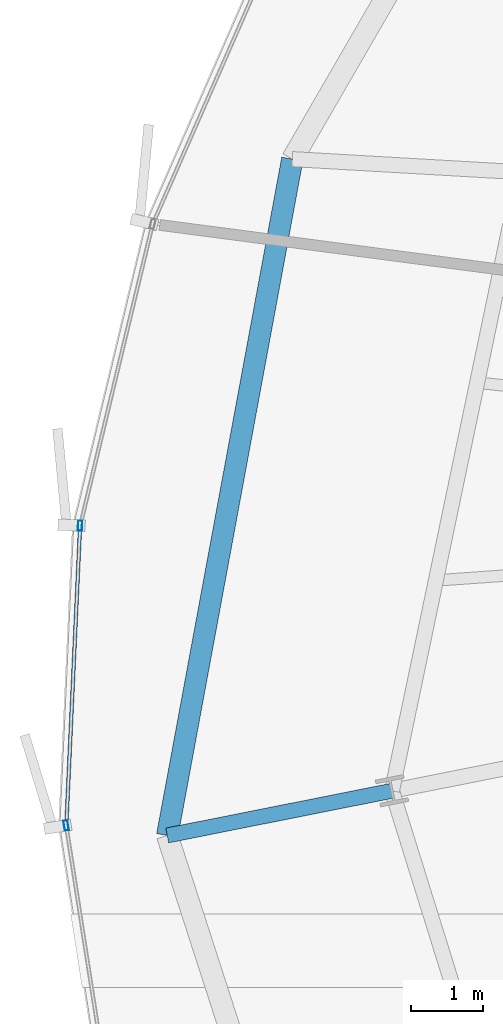
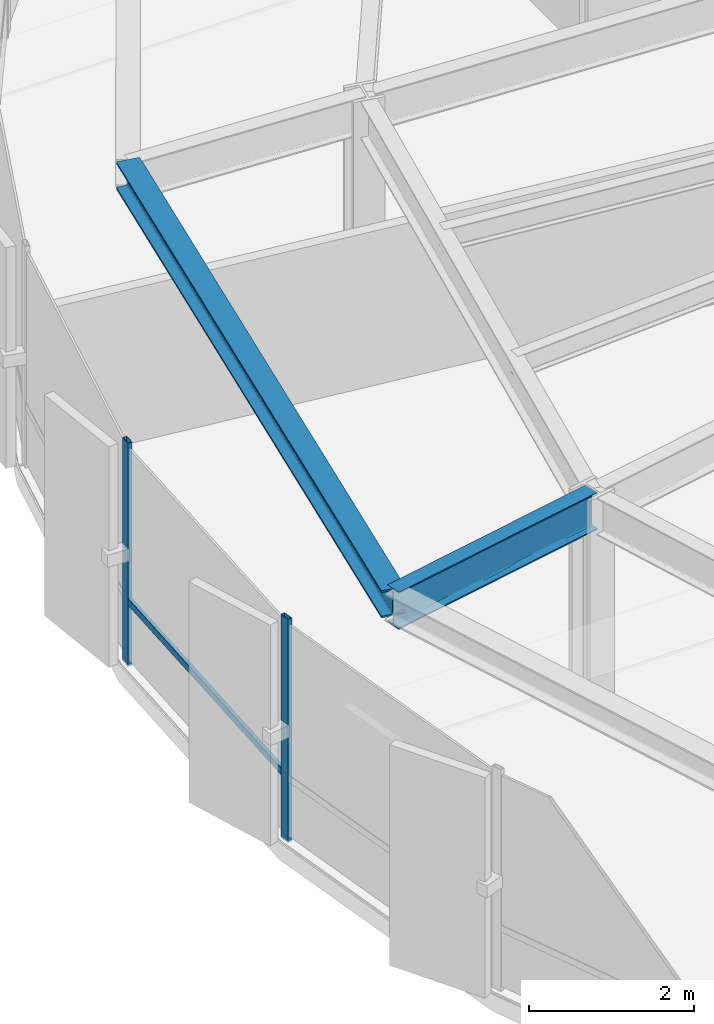
# One storey, part 8 of 36: 3 members, 2 beams, 1 element without a shape of its own.
"""IFC4 building model written with IfcOpenShell, lengths in metres."""

from ifc_helpers import new_model, si_unit, direction, frame, origin, origin_2d, place, context, subcontext, project, spatial, hollow_rectangle, i_section, extrude, source, transform, mapped, material, layer, layer_set, material_profile, profile_set, type_object, element, aggregate, save


model = new_model("IFC4")

# Units and contexts
model_context = context("Model", 3, precision=1e-05, world=origin(), true_north=direction((0.0, 1.0)))
body_context = subcontext(model_context, "Body", "Model", "MODEL_VIEW")
ifc_project = project(units=[si_unit("LENGTHUNIT", "METRE"), si_unit("AREAUNIT", "SQUARE_METRE"), si_unit("VOLUMEUNIT", "CUBIC_METRE"), si_unit("PLANEANGLEUNIT", "RADIAN"), si_unit("MASSUNIT", "GRAM", prefix="KILO"), si_unit("THERMODYNAMICTEMPERATUREUNIT", "KELVIN")], contexts=[model_context])

# Site, building, storey
site_placement = place(None, origin())
site = spatial("IfcSite", under=ifc_project, at=site_placement, CompositionType="ELEMENT")
building_placement = place(site_placement, origin())
building = spatial("IfcBuilding", under=site, at=building_placement, Name="Kethvar Cultural Tower", CompositionType="ELEMENT")
storey_placement = place(building_placement, frame((0.0, 0.0, 143.0)))
storey = spatial("IfcBuildingStorey", under=building, at=storey_placement, Name="L36", CompositionType="ELEMENT", Elevation=143.0)

# Beams
ifc_material_1 = material(Name="Steel S355J2", Category="steel")
ifc_material_profile_1 = material_profile(ifc_material_1, i_section(OverallWidth=0.2099609375, OverallDepth=0.550048828125, WebThickness=0.010986328125, FlangeThickness=0.01708984375, FilletRadius=0.02392578125, at=origin_2d()), Name="Steel S355J2 — IPE550")
ifc_profile_set_1 = profile_set([ifc_material_profile_1], Name="Steel S355J2 — IPE550")
beam_type_1 = type_object("IfcBeamType", Name="BM-IPE550", PredefinedType="BEAM", material=ifc_profile_set_1)
shared_shape_1 = source(origin(), body_context, "Body", "SweptSolid", [
    extrude(i_section(OverallWidth=0.2099609375, OverallDepth=0.550048828125, WebThickness=0.010986328125, FlangeThickness=0.01708984375, FilletRadius=0.02392578125, at=origin_2d()), origin(), (0.0, 0.0, 1.0), 3.199951171875),
])
beam_1_placement = place(storey_placement, frame((24.185302734375, 23.3017578125, 3.02294921875), z_axis=(-0.980785550224, -0.195088965533, 0.0), x_axis=(0.195088965533, -0.980785550224, 0.0)))
element("IfcBeam", 1, at=beam_1_placement, inside=storey, type_object=beam_type_1, Name="L36 Perimeter Cantilever Beam RC-09", PredefinedType="BEAM", context=body_context, shape_type="MappedRepresentation", body=[
    mapped(shared_shape_1, transform((0.0, 0.0, 0.0), scale=1.0)),
])
ifc_material_profile_2 = material_profile(ifc_material_1, i_section(OverallWidth=0.300048828125, OverallDepth=0.39990234375, WebThickness=0.013427734375, FlangeThickness=0.02392578125, FilletRadius=0.027099609375, at=origin_2d()), Name="Steel S355J2 — HEB400")
ifc_profile_set_2 = profile_set([ifc_material_profile_2], Name="Steel S355J2 — HEB400")
beam_type_2 = type_object("IfcBeamType", Name="BM-SP400", PredefinedType="SPANDREL", material=ifc_profile_set_2)
shared_shape_2 = source(origin(), body_context, "Body", "SweptSolid", [
    extrude(i_section(OverallWidth=0.300048828125, OverallDepth=0.39990234375, WebThickness=0.013427734375, FlangeThickness=0.02392578125, FilletRadius=0.027099609375, at=origin_2d()), origin(), (0.0, 0.0, 1.0), 9.605712890625),
])
beam_2_placement = place(storey_placement, frame((22.793701171875, 32.123046875, 3.097900390625), z_axis=(-0.1818526217, -0.983325797476, 0.0), x_axis=(0.983325797476, -0.1818526217, 0.0)))
element("IfcBeam", 2, at=beam_2_placement, inside=storey, type_object=beam_type_2, Name="L36 Perimeter Spandrel Beam SP-08", PredefinedType="SPANDREL", context=body_context, shape_type="MappedRepresentation", body=[
    mapped(shared_shape_2, transform((0.0, 0.0, 0.0), scale=1.0)),
])

# Curtain wall, members
ifc_material_2 = material(Name="Aluminium 6063-T6", Category="aluminium")
ifc_layer = layer(ifc_material_2, 0.179931640625, Name="Aluminium 6063-T6", Category="aluminium")
ifc_layer_set = layer_set([ifc_layer], Name="Aluminium 6063-T6 (180 mm)")
curtain_wall_type = type_object("IfcCurtainWallType", Name="CW-SYS-04-Z34", PredefinedType="NOTDEFINED", material=ifc_layer_set)
curtain_wall_placement = place(storey_placement, origin())
curtain_wall = element("IfcCurtainWall", 3, at=curtain_wall_placement, inside=storey, type_object=curtain_wall_type, Name="L36 Curtain Wall Run 03", PredefinedType="NOTDEFINED")
ifc_material_profile_3 = material_profile(ifc_material_2, hollow_rectangle(XDim=0.06005859375, YDim=0.139892578125, WallThickness=0.0048828125, at=origin_2d()), Name="Aluminium 6063-T6 — RHS140x60x5")
ifc_profile_set_3 = profile_set([ifc_material_profile_3], Name="Aluminium 6063-T6 — RHS140x60x5")
member_type_1 = type_object("IfcMemberType", Name="CW-SYS-04-Z34-MUL", PredefinedType="MULLION", material=ifc_profile_set_3)
shared_shape_3 = source(origin(), body_context, "Body", "SweptSolid", [
    extrude(hollow_rectangle(XDim=0.06005859375, YDim=0.139892578125, WallThickness=0.0048828125, at=origin_2d()), origin(), (0.0, 0.0, 1.0), 3.300048828125),
])
member_1_placement = place(storey_placement, frame((19.830322265625, 27.00439453125, 0.0), z_axis=(0.0, 0.0, 1.0), x_axis=(0.998944276893, -0.045938346317, 0.0)))
member_1 = element("IfcMember", 4, at=member_1_placement, type_object=member_type_1, Name="CW-L36-R03 Mullion 4", PredefinedType="MULLION", context=body_context, shape_type="MappedRepresentation", body=[
    mapped(shared_shape_3, transform((0.0, 0.0, 0.0), scale=1.0)),
])
member_2_placement = place(storey_placement, frame((19.635498046875, 22.818115234375, 0.0), z_axis=(0.0, 0.0, 1.0), x_axis=(0.987959865769, 0.154710386299, 0.0)))
member_2 = element("IfcMember", 5, at=member_2_placement, type_object=member_type_1, Name="CW-L36-R03 Mullion 5", PredefinedType="MULLION", context=body_context, shape_type="MappedRepresentation", body=[
    mapped(shared_shape_3, transform((0.0, 0.0, 0.0), scale=1.0)),
])
ifc_material_profile_4 = material_profile(ifc_material_2, hollow_rectangle(XDim=0.050048828125, YDim=0.10009765625, WallThickness=0.00390625, at=origin_2d()), Name="Aluminium 6063-T6 — RHS100x50x4")
ifc_profile_set_4 = profile_set([ifc_material_profile_4], Name="Aluminium 6063-T6 — RHS100x50x4")
member_type_2 = type_object("IfcMemberType", Name="CW-SYS-04-Z34-TRN", PredefinedType="USERDEFINED", material=ifc_profile_set_4)
shared_shape_4 = source(origin(), body_context, "Body", "SweptSolid", [
    extrude(hollow_rectangle(XDim=0.050048828125, YDim=0.10009765625, WallThickness=0.00390625, at=origin_2d()), origin(), (0.0, 0.0, 1.0), 4.12646484375),
])
member_3_placement = place(storey_placement, frame((19.828369140625, 26.96142578125, 0.949951171875), z_axis=(-0.045912206315, -0.998945478648, 0.0), x_axis=(0.998945478648, -0.045912206315, 0.0)))
member_3 = element("IfcMember", 6, at=member_3_placement, type_object=member_type_2, Name="CW-L36-R03 Transom 4", ObjectType="TRANSOM", PredefinedType="USERDEFINED", context=body_context, shape_type="MappedRepresentation", body=[
    mapped(shared_shape_4, transform((0.0, 0.0, 0.0), scale=1.0)),
])
aggregate(curtain_wall, [member_1, member_2, member_3])

save(model, "model.ifc")
